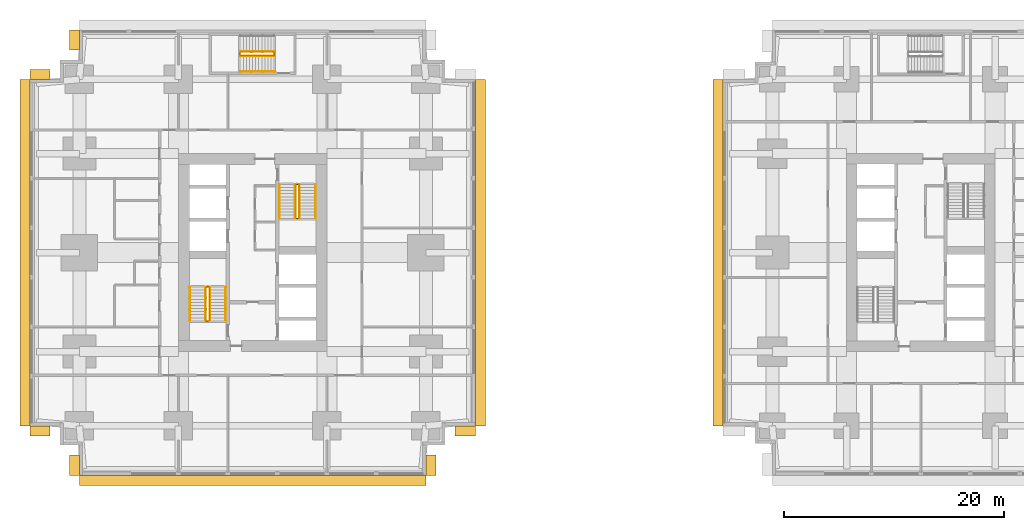
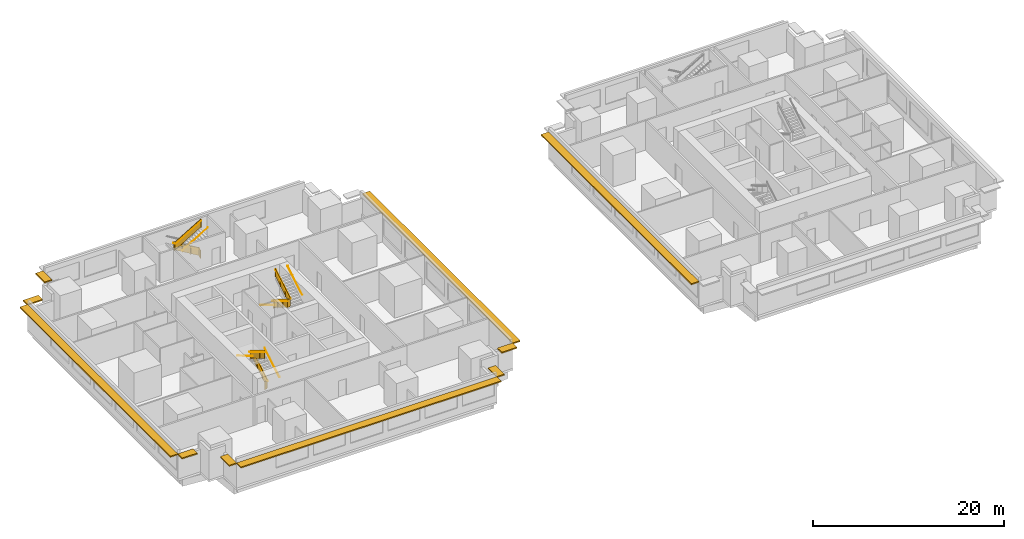
# One storey, part 9 of 11: 14 railings, 10 shading devices.
"""IFC4 building model written with IfcOpenShell, lengths in metres."""

from ifc_helpers import new_model, si_unit, direction, frame, origin, origin_2d, place, context, subcontext, project, spatial, polyline, rectangle, circle, outline, extrude, material, layer, layer_set, type_object, element, save


model = new_model("IFC4")

# Units and contexts
model_context = context("Model", 3, precision=1e-05, world=origin(), true_north=direction((0.0, 1.0)))
body_context = subcontext(model_context, "Body", "Model", "MODEL_VIEW")
ifc_project = project(units=[si_unit("LENGTHUNIT", "METRE"), si_unit("AREAUNIT", "SQUARE_METRE"), si_unit("VOLUMEUNIT", "CUBIC_METRE"), si_unit("PLANEANGLEUNIT", "RADIAN"), si_unit("MASSUNIT", "GRAM", prefix="KILO")], contexts=[model_context])

# Site, building, storey
site_placement = place(None, origin())
site = spatial("IfcSite", under=ifc_project, at=site_placement, CompositionType="ELEMENT")
building_placement = place(site_placement, origin())
building = spatial("IfcBuilding", under=site, at=building_placement, Name="Namib Vertical Campus", CompositionType="ELEMENT")
storey_placement = place(building_placement, frame((0.0, 0.0, 37.0)))
storey = spatial("IfcBuildingStorey", under=building, at=storey_placement, Name="L08", CompositionType="ELEMENT", Elevation=37.0)

# Railings
ifc_material_1 = material(Name="Steel handrail", Category="steel")
railing_type_1 = type_object("IfcRailingType", Name="Handrail 900", PredefinedType="HANDRAIL", material=ifc_material_1)
railing_1_placement = place(storey_placement, frame((17.800048828125, 14.050048828125, 0.166748046875)))
element("IfcRailing", 1, at=railing_1_placement, inside=storey, type_object=railing_type_1, Name="Handrail HR1 A-S1 L08 1", PredefinedType="HANDRAIL", context=body_context, shape_type="SweptSolid", body=[
    extrude(circle(Radius=0.02392578125, at=origin_2d()), frame((0.0, 0.0, 0.8759765625), z_axis=(0.0, 0.859290745958, 0.51148745235), x_axis=(-1.0, 0.0, 0.0)), (0.0, 0.0, 1.0), 3.584228515625),
    extrude(circle(Radius=0.008056640625, at=origin_2d()), frame((0.0, 0.0, 0.8759765625), z_axis=(1.0, 0.0, 0.0), x_axis=(0.0, 0.0, 1.0)), (0.0, 0.0, 1.0), 0.050048828125),
    extrude(circle(Radius=0.008056640625, at=origin_2d()), frame((0.0, 1.026611328125, 1.48681640625), z_axis=(1.0, 0.0, 0.0), x_axis=(0.0, 0.0, 1.0)), (0.0, 0.0, 1.0), 0.050048828125),
    extrude(circle(Radius=0.008056640625, at=origin_2d()), frame((0.0, 2.05322265625, 2.09814453125), z_axis=(1.0, 0.0, 0.0), x_axis=(0.0, 0.0, 1.0)), (0.0, 0.0, 1.0), 0.050048828125),
    extrude(circle(Radius=0.008056640625, at=origin_2d()), frame((0.0, 3.079833984375, 2.708984375), z_axis=(1.0, 0.0, 0.0), x_axis=(0.0, 0.0, 1.0)), (0.0, 0.0, 1.0), 0.050048828125),
])
railing_2_placement = place(storey_placement, frame((14.550048828125, 17.1298828125, 2.166748046875)))
element("IfcRailing", 2, at=railing_2_placement, inside=storey, type_object=railing_type_1, Name="Handrail HR1 A-S1 L08 2", PredefinedType="HANDRAIL", context=body_context, shape_type="SweptSolid", body=[
    extrude(circle(Radius=0.02392578125, at=origin_2d()), frame((0.0, 0.0, 0.8759765625), z_axis=(0.0, -0.859290745958, 0.51148745235), x_axis=(1.0, 0.0, 0.0)), (0.0, 0.0, 1.0), 3.584228515625),
    extrude(circle(Radius=0.008056640625, at=origin_2d()), frame((0.0, 0.0, 0.8759765625), z_axis=(-1.0, 0.0, 0.0), x_axis=(0.0, 0.0, 1.0)), (0.0, 0.0, 1.0), 0.050048828125),
    extrude(circle(Radius=0.008056640625, at=origin_2d()), frame((0.0, -1.026611328125, 1.48681640625), z_axis=(-1.0, 0.0, 0.0), x_axis=(0.0, 0.0, 1.0)), (0.0, 0.0, 1.0), 0.050048828125),
    extrude(circle(Radius=0.008056640625, at=origin_2d()), frame((0.0, -2.05322265625, 2.09814453125), z_axis=(-1.0, 0.0, 0.0), x_axis=(0.0, 0.0, 1.0)), (0.0, 0.0, 1.0), 0.050048828125),
    extrude(circle(Radius=0.008056640625, at=origin_2d()), frame((0.0, -3.079833984375, 2.708984375), z_axis=(-1.0, 0.0, 0.0), x_axis=(0.0, 0.0, 1.0)), (0.0, 0.0, 1.0), 0.050048828125),
])
railing_3_placement = place(storey_placement, frame((16.375, 14.050048828125, 0.166748046875)))
element("IfcRailing", 3, at=railing_3_placement, inside=storey, type_object=railing_type_1, Name="Handrail HR1 A-S1 L08 1 at the well", PredefinedType="HANDRAIL", context=body_context, shape_type="SweptSolid", body=[
    extrude(circle(Radius=0.02392578125, at=origin_2d()), frame((0.0, 0.0, 0.8759765625), z_axis=(0.0, 0.859290745958, 0.51148745235), x_axis=(-1.0, 0.0, 0.0)), (0.0, 0.0, 1.0), 3.584228515625),
    extrude(circle(Radius=0.008056640625, at=origin_2d()), frame((0.0, 0.0, 0.8759765625), z_axis=(-1.0, 0.0, 0.0), x_axis=(0.0, 0.0, 1.0)), (0.0, 0.0, 1.0), 0.0400390625),
    extrude(circle(Radius=0.008056640625, at=origin_2d()), frame((0.0, 1.026611328125, 1.48681640625), z_axis=(-1.0, 0.0, 0.0), x_axis=(0.0, 0.0, 1.0)), (0.0, 0.0, 1.0), 0.0400390625),
    extrude(circle(Radius=0.008056640625, at=origin_2d()), frame((0.0, 2.05322265625, 2.09814453125), z_axis=(-1.0, 0.0, 0.0), x_axis=(0.0, 0.0, 1.0)), (0.0, 0.0, 1.0), 0.0400390625),
    extrude(circle(Radius=0.008056640625, at=origin_2d()), frame((0.0, 3.079833984375, 2.708984375), z_axis=(-1.0, 0.0, 0.0), x_axis=(0.0, 0.0, 1.0)), (0.0, 0.0, 1.0), 0.0400390625),
])
railing_4_placement = place(storey_placement, frame((15.97509765625, 17.1298828125, 2.166748046875)))
element("IfcRailing", 4, at=railing_4_placement, inside=storey, type_object=railing_type_1, Name="Handrail HR1 A-S1 L08 2 at the well", PredefinedType="HANDRAIL", context=body_context, shape_type="SweptSolid", body=[
    extrude(circle(Radius=0.02392578125, at=origin_2d()), frame((0.0, 0.0, 0.8759765625), z_axis=(0.0, -0.859290745958, 0.51148745235), x_axis=(1.0, 0.0, 0.0)), (0.0, 0.0, 1.0), 3.584228515625),
    extrude(circle(Radius=0.008056640625, at=origin_2d()), frame((0.0, 0.0, 0.8759765625), z_axis=(1.0, 0.0, 0.0), x_axis=(0.0, 0.0, 1.0)), (0.0, 0.0, 1.0), 0.0400390625),
    extrude(circle(Radius=0.008056640625, at=origin_2d()), frame((0.0, -1.026611328125, 1.48681640625), z_axis=(1.0, 0.0, 0.0), x_axis=(0.0, 0.0, 1.0)), (0.0, 0.0, 1.0), 0.0400390625),
    extrude(circle(Radius=0.008056640625, at=origin_2d()), frame((0.0, -2.05322265625, 2.09814453125), z_axis=(1.0, 0.0, 0.0), x_axis=(0.0, 0.0, 1.0)), (0.0, 0.0, 1.0), 0.0400390625),
    extrude(circle(Radius=0.008056640625, at=origin_2d()), frame((0.0, -3.079833984375, 2.708984375), z_axis=(1.0, 0.0, 0.0), x_axis=(0.0, 0.0, 1.0)), (0.0, 0.0, 1.0), 0.0400390625),
])
railing_5_placement = place(storey_placement, frame((22.699951171875, 26.449951171875, 0.166748046875)))
element("IfcRailing", 5, at=railing_5_placement, inside=storey, type_object=railing_type_1, Name="Handrail HR1 A-S2 L08 1", PredefinedType="HANDRAIL", context=body_context, shape_type="SweptSolid", body=[
    extrude(circle(Radius=0.02392578125, at=origin_2d()), frame((0.0, 0.0, 0.8759765625), z_axis=(0.0, -0.859290745958, 0.51148745235), x_axis=(1.0, 0.0, 0.0)), (0.0, 0.0, 1.0), 3.584228515625),
    extrude(circle(Radius=0.008056640625, at=origin_2d()), frame((0.0, 0.0, 0.8759765625), z_axis=(-1.0, 0.0, 0.0), x_axis=(0.0, 0.0, 1.0)), (0.0, 0.0, 1.0), 0.050048828125),
    extrude(circle(Radius=0.008056640625, at=origin_2d()), frame((0.0, -1.026611328125, 1.48681640625), z_axis=(-1.0, 0.0, 0.0), x_axis=(0.0, 0.0, 1.0)), (0.0, 0.0, 1.0), 0.050048828125),
    extrude(circle(Radius=0.008056640625, at=origin_2d()), frame((0.0, -2.05322265625, 2.09814453125), z_axis=(-1.0, 0.0, 0.0), x_axis=(0.0, 0.0, 1.0)), (0.0, 0.0, 1.0), 0.050048828125),
    extrude(circle(Radius=0.008056640625, at=origin_2d()), frame((0.0, -3.079833984375, 2.708984375), z_axis=(-1.0, 0.0, 0.0), x_axis=(0.0, 0.0, 1.0)), (0.0, 0.0, 1.0), 0.050048828125),
])
railing_6_placement = place(storey_placement, frame((25.949951171875, 23.3701171875, 2.166748046875)))
element("IfcRailing", 6, at=railing_6_placement, inside=storey, type_object=railing_type_1, Name="Handrail HR1 A-S2 L08 2", PredefinedType="HANDRAIL", context=body_context, shape_type="SweptSolid", body=[
    extrude(circle(Radius=0.02392578125, at=origin_2d()), frame((0.0, 0.0, 0.8759765625), z_axis=(0.0, 0.859290745958, 0.51148745235), x_axis=(-1.0, 0.0, 0.0)), (0.0, 0.0, 1.0), 3.584228515625),
    extrude(circle(Radius=0.008056640625, at=origin_2d()), frame((0.0, 0.0, 0.8759765625), z_axis=(1.0, 0.0, 0.0), x_axis=(0.0, 0.0, 1.0)), (0.0, 0.0, 1.0), 0.050048828125),
    extrude(circle(Radius=0.008056640625, at=origin_2d()), frame((0.0, 1.026611328125, 1.48681640625), z_axis=(1.0, 0.0, 0.0), x_axis=(0.0, 0.0, 1.0)), (0.0, 0.0, 1.0), 0.050048828125),
    extrude(circle(Radius=0.008056640625, at=origin_2d()), frame((0.0, 2.05322265625, 2.09814453125), z_axis=(1.0, 0.0, 0.0), x_axis=(0.0, 0.0, 1.0)), (0.0, 0.0, 1.0), 0.050048828125),
    extrude(circle(Radius=0.008056640625, at=origin_2d()), frame((0.0, 3.079833984375, 2.708984375), z_axis=(1.0, 0.0, 0.0), x_axis=(0.0, 0.0, 1.0)), (0.0, 0.0, 1.0), 0.050048828125),
])
railing_7_placement = place(storey_placement, frame((24.125, 26.449951171875, 0.166748046875)))
element("IfcRailing", 7, at=railing_7_placement, inside=storey, type_object=railing_type_1, Name="Handrail HR1 A-S2 L08 1 at the well", PredefinedType="HANDRAIL", context=body_context, shape_type="SweptSolid", body=[
    extrude(circle(Radius=0.02392578125, at=origin_2d()), frame((0.0, 0.0, 0.8759765625), z_axis=(0.0, -0.859290745958, 0.51148745235), x_axis=(1.0, 0.0, 0.0)), (0.0, 0.0, 1.0), 3.584228515625),
    extrude(circle(Radius=0.008056640625, at=origin_2d()), frame((0.0, 0.0, 0.8759765625), z_axis=(1.0, 0.0, 0.0), x_axis=(0.0, 0.0, 1.0)), (0.0, 0.0, 1.0), 0.0400390625),
    extrude(circle(Radius=0.008056640625, at=origin_2d()), frame((0.0, -1.026611328125, 1.48681640625), z_axis=(1.0, 0.0, 0.0), x_axis=(0.0, 0.0, 1.0)), (0.0, 0.0, 1.0), 0.0400390625),
    extrude(circle(Radius=0.008056640625, at=origin_2d()), frame((0.0, -2.05322265625, 2.09814453125), z_axis=(1.0, 0.0, 0.0), x_axis=(0.0, 0.0, 1.0)), (0.0, 0.0, 1.0), 0.0400390625),
    extrude(circle(Radius=0.008056640625, at=origin_2d()), frame((0.0, -3.079833984375, 2.708984375), z_axis=(1.0, 0.0, 0.0), x_axis=(0.0, 0.0, 1.0)), (0.0, 0.0, 1.0), 0.0400390625),
])
railing_8_placement = place(storey_placement, frame((24.52490234375, 23.3701171875, 2.166748046875)))
element("IfcRailing", 8, at=railing_8_placement, inside=storey, type_object=railing_type_1, Name="Handrail HR1 A-S2 L08 2 at the well", PredefinedType="HANDRAIL", context=body_context, shape_type="SweptSolid", body=[
    extrude(circle(Radius=0.02392578125, at=origin_2d()), frame((0.0, 0.0, 0.8759765625), z_axis=(0.0, 0.859290745958, 0.51148745235), x_axis=(-1.0, 0.0, 0.0)), (0.0, 0.0, 1.0), 3.584228515625),
    extrude(circle(Radius=0.008056640625, at=origin_2d()), frame((0.0, 0.0, 0.8759765625), z_axis=(-1.0, 0.0, 0.0), x_axis=(0.0, 0.0, 1.0)), (0.0, 0.0, 1.0), 0.0400390625),
    extrude(circle(Radius=0.008056640625, at=origin_2d()), frame((0.0, 1.026611328125, 1.48681640625), z_axis=(-1.0, 0.0, 0.0), x_axis=(0.0, 0.0, 1.0)), (0.0, 0.0, 1.0), 0.0400390625),
    extrude(circle(Radius=0.008056640625, at=origin_2d()), frame((0.0, 2.05322265625, 2.09814453125), z_axis=(-1.0, 0.0, 0.0), x_axis=(0.0, 0.0, 1.0)), (0.0, 0.0, 1.0), 0.0400390625),
    extrude(circle(Radius=0.008056640625, at=origin_2d()), frame((0.0, 3.079833984375, 2.708984375), z_axis=(-1.0, 0.0, 0.0), x_axis=(0.0, 0.0, 1.0)), (0.0, 0.0, 1.0), 0.0400390625),
])
railing_9_placement = place(storey_placement, frame((19.1201171875, 36.699951171875, 2.166748046875)))
element("IfcRailing", 9, at=railing_9_placement, inside=storey, type_object=railing_type_1, Name="Handrail HR1 A-S3 L08 2", PredefinedType="HANDRAIL", context=body_context, shape_type="SweptSolid", body=[
    extrude(circle(Radius=0.02392578125, at=origin_2d()), frame((0.0, 0.0, 0.8759765625), z_axis=(0.859290745958, 0.0, 0.51148745235), x_axis=(0.0, 1.0, 0.0)), (0.0, 0.0, 1.0), 3.584228515625),
    extrude(circle(Radius=0.008056640625, at=origin_2d()), frame((0.0, 0.0, 0.8759765625), z_axis=(0.0, -1.0, 0.0), x_axis=(0.0, 0.0, 1.0)), (0.0, 0.0, 1.0), 0.050048828125),
    extrude(circle(Radius=0.008056640625, at=origin_2d()), frame((1.026611328125, 0.0, 1.48681640625), z_axis=(0.0, -1.0, 0.0), x_axis=(0.0, 0.0, 1.0)), (0.0, 0.0, 1.0), 0.050048828125),
    extrude(circle(Radius=0.008056640625, at=origin_2d()), frame((2.05322265625, 0.0, 2.09814453125), z_axis=(0.0, -1.0, 0.0), x_axis=(0.0, 0.0, 1.0)), (0.0, 0.0, 1.0), 0.050048828125),
    extrude(circle(Radius=0.008056640625, at=origin_2d()), frame((3.079833984375, 0.0, 2.708984375), z_axis=(0.0, -1.0, 0.0), x_axis=(0.0, 0.0, 1.0)), (0.0, 0.0, 1.0), 0.050048828125),
])
railing_10_placement = place(storey_placement, frame((22.199951171875, 38.52490234375, 0.166748046875)))
element("IfcRailing", 10, at=railing_10_placement, inside=storey, type_object=railing_type_1, Name="Handrail HR1 A-S3 L08 1 at the well", PredefinedType="HANDRAIL", context=body_context, shape_type="SweptSolid", body=[
    extrude(circle(Radius=0.02392578125, at=origin_2d()), frame((0.0, 0.0, 0.8759765625), z_axis=(-0.859290745958, 0.0, 0.51148745235), x_axis=(0.0, -1.0, 0.0)), (0.0, 0.0, 1.0), 3.584228515625),
    extrude(circle(Radius=0.008056640625, at=origin_2d()), frame((0.0, 0.0, 0.8759765625), z_axis=(0.0, -1.0, 0.0), x_axis=(0.0, 0.0, 1.0)), (0.0, 0.0, 1.0), 0.0400390625),
    extrude(circle(Radius=0.008056640625, at=origin_2d()), frame((-1.026611328125, 0.0, 1.48681640625), z_axis=(0.0, -1.0, 0.0), x_axis=(0.0, 0.0, 1.0)), (0.0, 0.0, 1.0), 0.0400390625),
    extrude(circle(Radius=0.008056640625, at=origin_2d()), frame((-2.05322265625, 0.0, 2.09814453125), z_axis=(0.0, -1.0, 0.0), x_axis=(0.0, 0.0, 1.0)), (0.0, 0.0, 1.0), 0.0400390625),
    extrude(circle(Radius=0.008056640625, at=origin_2d()), frame((-3.079833984375, 0.0, 2.708984375), z_axis=(0.0, -1.0, 0.0), x_axis=(0.0, 0.0, 1.0)), (0.0, 0.0, 1.0), 0.0400390625),
])
railing_11_placement = place(storey_placement, frame((19.1201171875, 38.125, 2.166748046875)))
element("IfcRailing", 11, at=railing_11_placement, inside=storey, type_object=railing_type_1, Name="Handrail HR1 A-S3 L08 2 at the well", PredefinedType="HANDRAIL", context=body_context, shape_type="SweptSolid", body=[
    extrude(circle(Radius=0.02392578125, at=origin_2d()), frame((0.0, 0.0, 0.8759765625), z_axis=(0.859290745958, 0.0, 0.51148745235), x_axis=(0.0, 1.0, 0.0)), (0.0, 0.0, 1.0), 3.584228515625),
    extrude(circle(Radius=0.008056640625, at=origin_2d()), frame((0.0, 0.0, 0.8759765625), z_axis=(0.0, 1.0, 0.0), x_axis=(0.0, 0.0, 1.0)), (0.0, 0.0, 1.0), 0.0400390625),
    extrude(circle(Radius=0.008056640625, at=origin_2d()), frame((1.026611328125, 0.0, 1.48681640625), z_axis=(0.0, 1.0, 0.0), x_axis=(0.0, 0.0, 1.0)), (0.0, 0.0, 1.0), 0.0400390625),
    extrude(circle(Radius=0.008056640625, at=origin_2d()), frame((2.05322265625, 0.0, 2.09814453125), z_axis=(0.0, 1.0, 0.0), x_axis=(0.0, 0.0, 1.0)), (0.0, 0.0, 1.0), 0.0400390625),
    extrude(circle(Radius=0.008056640625, at=origin_2d()), frame((3.079833984375, 0.0, 2.708984375), z_axis=(0.0, 1.0, 0.0), x_axis=(0.0, 0.0, 1.0)), (0.0, 0.0, 1.0), 0.0400390625),
])
ifc_material_2 = material(Name="Steel balustrade", Category="steel")
railing_type_2 = type_object("IfcRailingType", Name="Stair guard 1100", PredefinedType="GUARDRAIL", material=ifc_material_2)
railing_12_placement = place(storey_placement, frame((16.02490234375, 14.050048828125, 0.0)))
element("IfcRailing", 12, at=railing_12_placement, inside=storey, type_object=railing_type_2, Name="Stair guard GR1 A-S1 L08", PredefinedType="GUARDRAIL", context=body_context, shape_type="SweptSolid", body=[
    extrude(circle(Radius=0.02392578125, at=origin_2d()), frame((0.0, 0.0, 1.076171875), z_axis=(1.0, 0.0, 0.0), x_axis=(0.0, 1.0, 0.0)), (0.0, 0.0, 1.0), 0.300048828125),
    extrude(outline(polyline([(0.02099609375, 0.050048828125), (0.279052734375, 0.050048828125), (0.279052734375, 1.052001953125), (0.02099609375, 1.052001953125), (0.02099609375, 0.050048828125)])), frame((0.0, 0.010009765625, 0.0), z_axis=(0.0, -1.0, 0.0), x_axis=(1.0, 0.0, 0.0)), (0.0, 0.0, 1.0), 0.02001953125),
    extrude(circle(Radius=0.02392578125, at=origin_2d()), frame((0.300048828125, 0.0, 1.076171875), z_axis=(0.0, 0.0, 1.0), x_axis=(1.0, 0.0, 0.0)), (0.0, 0.0, 1.0), 0.166748046875),
    extrude(circle(Radius=0.02392578125, at=origin_2d()), frame((0.300048828125, 0.0, 1.24267578125), z_axis=(0.0, 0.859290745958, 0.51148745235), x_axis=(-1.0, 0.0, 0.0)), (0.0, 0.0, 1.0), 3.584228515625),
    extrude(outline(polyline([(0.02099609375, 0.0625), (3.058837890625, 1.870849609375), (3.058837890625, 2.872802734375), (0.02099609375, 1.064453125), (0.02099609375, 0.0625)])), frame((0.2900390625, 0.0, 0.166748046875), z_axis=(1.0, 0.0, 0.0), x_axis=(0.0, 1.0, 0.0)), (0.0, 0.0, 1.0), 0.02001953125),
    extrude(circle(Radius=0.02392578125, at=origin_2d()), frame((0.300048828125, 3.079833984375, 3.076171875), z_axis=(-1.0, 0.0, 0.0), x_axis=(0.0, -1.0, 0.0)), (0.0, 0.0, 1.0), 0.300048828125),
    extrude(outline(polyline([(0.02099609375, 0.050048828125), (0.279052734375, 0.050048828125), (0.279052734375, 1.052001953125), (0.02099609375, 1.052001953125), (0.02099609375, 0.050048828125)])), frame((0.300048828125, 3.06982421875, 2.0), z_axis=(0.0, 1.0, 0.0), x_axis=(-1.0, 0.0, 0.0)), (0.0, 0.0, 1.0), 0.02001953125),
    extrude(circle(Radius=0.02392578125, at=origin_2d()), frame((0.0, 3.079833984375, 3.076171875), z_axis=(0.0, 0.0, 1.0), x_axis=(1.0, 0.0, 0.0)), (0.0, 0.0, 1.0), 0.166748046875),
    extrude(circle(Radius=0.02392578125, at=origin_2d()), frame((0.0, 3.079833984375, 3.24267578125), z_axis=(0.0, -0.859290745958, 0.51148745235), x_axis=(1.0, 0.0, 0.0)), (0.0, 0.0, 1.0), 3.584228515625),
    extrude(outline(polyline([(0.02099609375, 0.0625), (3.058837890625, 1.870849609375), (3.058837890625, 2.872802734375), (0.02099609375, 1.064453125), (0.02099609375, 0.0625)])), frame((0.010009765625, 3.079833984375, 2.166748046875), z_axis=(-1.0, 0.0, 0.0), x_axis=(0.0, -1.0, 0.0)), (0.0, 0.0, 1.0), 0.02001953125),
    extrude(circle(Radius=0.02392578125, at=origin_2d()), frame((0.0, 0.0, 5.076171875), z_axis=(0.0, -1.0, 0.0), x_axis=(1.0, 0.0, 0.0)), (0.0, 0.0, 1.0), 0.050048828125),
    extrude(outline(polyline([(0.02099609375, 0.050048828125), (0.029052734375, 0.050048828125), (0.029052734375, 1.052001953125), (0.02099609375, 1.052001953125), (0.02099609375, 0.050048828125)])), frame((0.010009765625, 0.0, 4.0), z_axis=(-1.0, 0.0, 0.0), x_axis=(0.0, -1.0, 0.0)), (0.0, 0.0, 1.0), 0.02001953125),
    extrude(circle(Radius=0.02099609375, at=origin_2d()), origin(), (0.0, 0.0, 1.0), 1.052001953125),
    extrude(circle(Radius=0.02099609375, at=origin_2d()), frame((0.300048828125, 0.0, 0.166748046875)), (0.0, 0.0, 1.0), 1.052001953125),
    extrude(circle(Radius=0.02099609375, at=origin_2d()), frame((0.300048828125, 1.026611328125, 0.666748046875)), (0.0, 0.0, 1.0), 1.1630859375),
    extrude(circle(Radius=0.02099609375, at=origin_2d()), frame((0.300048828125, 2.05322265625, 1.33349609375)), (0.0, 0.0, 1.0), 1.107421875),
    extrude(circle(Radius=0.02099609375, at=origin_2d()), frame((0.300048828125, 3.079833984375, 2.0)), (0.0, 0.0, 1.0), 1.052001953125),
    extrude(circle(Radius=0.02099609375, at=origin_2d()), frame((0.0, 3.079833984375, 2.166748046875)), (0.0, 0.0, 1.0), 1.052001953125),
    extrude(circle(Radius=0.02099609375, at=origin_2d()), frame((0.0, 2.05322265625, 2.666748046875)), (0.0, 0.0, 1.0), 1.1630859375),
    extrude(circle(Radius=0.02099609375, at=origin_2d()), frame((0.0, 1.026611328125, 3.33349609375)), (0.0, 0.0, 1.0), 1.107421875),
    extrude(circle(Radius=0.02099609375, at=origin_2d()), frame((0.0, 0.0, 4.0)), (0.0, 0.0, 1.0), 1.052001953125),
    extrude(circle(Radius=0.02099609375, at=origin_2d()), frame((0.0, -0.050048828125, 4.0)), (0.0, 0.0, 1.0), 1.052001953125),
])
railing_13_placement = place(storey_placement, frame((24.47509765625, 26.449951171875, 0.0)))
element("IfcRailing", 13, at=railing_13_placement, inside=storey, type_object=railing_type_2, Name="Stair guard GR1 A-S2 L08", PredefinedType="GUARDRAIL", context=body_context, shape_type="SweptSolid", body=[
    extrude(circle(Radius=0.02392578125, at=origin_2d()), frame((0.0, 0.0, 1.076171875), z_axis=(-1.0, 0.0, 0.0), x_axis=(0.0, -1.0, 0.0)), (0.0, 0.0, 1.0), 0.300048828125),
    extrude(outline(polyline([(0.02099609375, 0.050048828125), (0.279052734375, 0.050048828125), (0.279052734375, 1.052001953125), (0.02099609375, 1.052001953125), (0.02099609375, 0.050048828125)])), frame((0.0, -0.010009765625, 0.0), z_axis=(0.0, 1.0, 0.0), x_axis=(-1.0, 0.0, 0.0)), (0.0, 0.0, 1.0), 0.02001953125),
    extrude(circle(Radius=0.02392578125, at=origin_2d()), frame((-0.300048828125, 0.0, 1.076171875), z_axis=(0.0, 0.0, 1.0), x_axis=(1.0, 0.0, 0.0)), (0.0, 0.0, 1.0), 0.166748046875),
    extrude(circle(Radius=0.02392578125, at=origin_2d()), frame((-0.300048828125, 0.0, 1.24267578125), z_axis=(0.0, -0.859290745958, 0.51148745235), x_axis=(1.0, 0.0, 0.0)), (0.0, 0.0, 1.0), 3.584228515625),
    extrude(outline(polyline([(0.02099609375, 0.0625), (3.058837890625, 1.870849609375), (3.058837890625, 2.872802734375), (0.02099609375, 1.064453125), (0.02099609375, 0.0625)])), frame((-0.2900390625, 0.0, 0.166748046875), z_axis=(-1.0, 0.0, 0.0), x_axis=(0.0, -1.0, 0.0)), (0.0, 0.0, 1.0), 0.02001953125),
    extrude(circle(Radius=0.02392578125, at=origin_2d()), frame((-0.300048828125, -3.079833984375, 3.076171875), z_axis=(1.0, 0.0, 0.0), x_axis=(0.0, 1.0, 0.0)), (0.0, 0.0, 1.0), 0.300048828125),
    extrude(outline(polyline([(0.02099609375, 0.050048828125), (0.279052734375, 0.050048828125), (0.279052734375, 1.052001953125), (0.02099609375, 1.052001953125), (0.02099609375, 0.050048828125)])), frame((-0.300048828125, -3.06982421875, 2.0), z_axis=(0.0, -1.0, 0.0), x_axis=(1.0, 0.0, 0.0)), (0.0, 0.0, 1.0), 0.02001953125),
    extrude(circle(Radius=0.02392578125, at=origin_2d()), frame((0.0, -3.079833984375, 3.076171875), z_axis=(0.0, 0.0, 1.0), x_axis=(1.0, 0.0, 0.0)), (0.0, 0.0, 1.0), 0.166748046875),
    extrude(circle(Radius=0.02392578125, at=origin_2d()), frame((0.0, -3.079833984375, 3.24267578125), z_axis=(0.0, 0.859290745958, 0.51148745235), x_axis=(-1.0, 0.0, 0.0)), (0.0, 0.0, 1.0), 3.584228515625),
    extrude(outline(polyline([(0.02099609375, 0.0625), (3.058837890625, 1.870849609375), (3.058837890625, 2.872802734375), (0.02099609375, 1.064453125), (0.02099609375, 0.0625)])), frame((-0.010009765625, -3.079833984375, 2.166748046875), z_axis=(1.0, 0.0, 0.0), x_axis=(0.0, 1.0, 0.0)), (0.0, 0.0, 1.0), 0.02001953125),
    extrude(circle(Radius=0.02392578125, at=origin_2d()), frame((0.0, 0.0, 5.076171875), z_axis=(0.0, 1.0, 0.0), x_axis=(-1.0, 0.0, 0.0)), (0.0, 0.0, 1.0), 0.050048828125),
    extrude(outline(polyline([(0.02099609375, 0.050048828125), (0.029052734375, 0.050048828125), (0.029052734375, 1.052001953125), (0.02099609375, 1.052001953125), (0.02099609375, 0.050048828125)])), frame((-0.010009765625, 0.0, 4.0), z_axis=(1.0, 0.0, 0.0), x_axis=(0.0, 1.0, 0.0)), (0.0, 0.0, 1.0), 0.02001953125),
    extrude(circle(Radius=0.02099609375, at=origin_2d()), origin(), (0.0, 0.0, 1.0), 1.052001953125),
    extrude(circle(Radius=0.02099609375, at=origin_2d()), frame((-0.300048828125, 0.0, 0.166748046875)), (0.0, 0.0, 1.0), 1.052001953125),
    extrude(circle(Radius=0.02099609375, at=origin_2d()), frame((-0.300048828125, -1.026611328125, 0.666748046875)), (0.0, 0.0, 1.0), 1.1630859375),
    extrude(circle(Radius=0.02099609375, at=origin_2d()), frame((-0.300048828125, -2.05322265625, 1.33349609375)), (0.0, 0.0, 1.0), 1.107421875),
    extrude(circle(Radius=0.02099609375, at=origin_2d()), frame((-0.300048828125, -3.079833984375, 2.0)), (0.0, 0.0, 1.0), 1.052001953125),
    extrude(circle(Radius=0.02099609375, at=origin_2d()), frame((0.0, -3.079833984375, 2.166748046875)), (0.0, 0.0, 1.0), 1.052001953125),
    extrude(circle(Radius=0.02099609375, at=origin_2d()), frame((0.0, -2.05322265625, 2.666748046875)), (0.0, 0.0, 1.0), 1.1630859375),
    extrude(circle(Radius=0.02099609375, at=origin_2d()), frame((0.0, -1.026611328125, 3.33349609375)), (0.0, 0.0, 1.0), 1.107421875),
    extrude(circle(Radius=0.02099609375, at=origin_2d()), frame((0.0, 0.0, 4.0)), (0.0, 0.0, 1.0), 1.052001953125),
    extrude(circle(Radius=0.02099609375, at=origin_2d()), frame((0.0, 0.050048828125, 4.0)), (0.0, 0.0, 1.0), 1.052001953125),
])
railing_14_placement = place(storey_placement, frame((22.199951171875, 38.175048828125, 0.0)))
element("IfcRailing", 14, at=railing_14_placement, inside=storey, type_object=railing_type_2, Name="Stair guard GR1 A-S3 L08", PredefinedType="GUARDRAIL", context=body_context, shape_type="SweptSolid", body=[
    extrude(circle(Radius=0.02392578125, at=origin_2d()), frame((0.0, 0.0, 1.076171875), z_axis=(0.0, 1.0, 0.0), x_axis=(-1.0, 0.0, 0.0)), (0.0, 0.0, 1.0), 0.300048828125),
    extrude(outline(polyline([(0.02099609375, 0.050048828125), (0.279052734375, 0.050048828125), (0.279052734375, 1.052001953125), (0.02099609375, 1.052001953125), (0.02099609375, 0.050048828125)])), frame((-0.010009765625, 0.0, 0.0), z_axis=(1.0, 0.0, 0.0), x_axis=(0.0, 1.0, 0.0)), (0.0, 0.0, 1.0), 0.02001953125),
    extrude(circle(Radius=0.02392578125, at=origin_2d()), frame((0.0, 0.300048828125, 1.076171875), z_axis=(0.0, 0.0, 1.0), x_axis=(1.0, 0.0, 0.0)), (0.0, 0.0, 1.0), 0.166748046875),
    extrude(circle(Radius=0.02392578125, at=origin_2d()), frame((0.0, 0.300048828125, 1.24267578125), z_axis=(-0.859290745958, 0.0, 0.51148745235), x_axis=(0.0, -1.0, 0.0)), (0.0, 0.0, 1.0), 3.584228515625),
    extrude(outline(polyline([(0.02099609375, 0.0625), (3.058837890625, 1.870849609375), (3.058837890625, 2.872802734375), (0.02099609375, 1.064453125), (0.02099609375, 0.0625)])), frame((0.0, 0.2900390625, 0.166748046875), z_axis=(0.0, 1.0, 0.0), x_axis=(-1.0, 0.0, 0.0)), (0.0, 0.0, 1.0), 0.02001953125),
    extrude(circle(Radius=0.02392578125, at=origin_2d()), frame((-3.079833984375, 0.300048828125, 3.076171875), z_axis=(0.0, -1.0, 0.0), x_axis=(1.0, 0.0, 0.0)), (0.0, 0.0, 1.0), 0.300048828125),
    extrude(outline(polyline([(0.02099609375, 0.050048828125), (0.279052734375, 0.050048828125), (0.279052734375, 1.052001953125), (0.02099609375, 1.052001953125), (0.02099609375, 0.050048828125)])), frame((-3.06982421875, 0.300048828125, 2.0), z_axis=(-1.0, 0.0, 0.0), x_axis=(0.0, -1.0, 0.0)), (0.0, 0.0, 1.0), 0.02001953125),
    extrude(circle(Radius=0.02392578125, at=origin_2d()), frame((-3.079833984375, 0.0, 3.076171875), z_axis=(0.0, 0.0, 1.0), x_axis=(1.0, 0.0, 0.0)), (0.0, 0.0, 1.0), 0.166748046875),
    extrude(circle(Radius=0.02392578125, at=origin_2d()), frame((-3.079833984375, 0.0, 3.24267578125), z_axis=(0.859290745958, 0.0, 0.51148745235), x_axis=(0.0, 1.0, 0.0)), (0.0, 0.0, 1.0), 3.584228515625),
    extrude(outline(polyline([(0.02099609375, 0.0625), (3.058837890625, 1.870849609375), (3.058837890625, 2.872802734375), (0.02099609375, 1.064453125), (0.02099609375, 0.0625)])), frame((-3.079833984375, 0.010009765625, 2.166748046875), z_axis=(0.0, -1.0, 0.0), x_axis=(1.0, 0.0, 0.0)), (0.0, 0.0, 1.0), 0.02001953125),
    extrude(circle(Radius=0.02392578125, at=origin_2d()), frame((0.0, 0.0, 5.076171875), z_axis=(1.0, 0.0, 0.0), x_axis=(0.0, 1.0, 0.0)), (0.0, 0.0, 1.0), 0.050048828125),
    extrude(outline(polyline([(0.02099609375, 0.050048828125), (0.029052734375, 0.050048828125), (0.029052734375, 1.052001953125), (0.02099609375, 1.052001953125), (0.02099609375, 0.050048828125)])), frame((0.0, 0.010009765625, 4.0), z_axis=(0.0, -1.0, 0.0), x_axis=(1.0, 0.0, 0.0)), (0.0, 0.0, 1.0), 0.02001953125),
    extrude(circle(Radius=0.02099609375, at=origin_2d()), origin(), (0.0, 0.0, 1.0), 1.052001953125),
    extrude(circle(Radius=0.02099609375, at=origin_2d()), frame((0.0, 0.300048828125, 0.166748046875)), (0.0, 0.0, 1.0), 1.052001953125),
    extrude(circle(Radius=0.02099609375, at=origin_2d()), frame((-1.026611328125, 0.300048828125, 0.666748046875)), (0.0, 0.0, 1.0), 1.1630859375),
    extrude(circle(Radius=0.02099609375, at=origin_2d()), frame((-2.05322265625, 0.300048828125, 1.33349609375)), (0.0, 0.0, 1.0), 1.107421875),
    extrude(circle(Radius=0.02099609375, at=origin_2d()), frame((-3.079833984375, 0.300048828125, 2.0)), (0.0, 0.0, 1.0), 1.052001953125),
    extrude(circle(Radius=0.02099609375, at=origin_2d()), frame((-3.079833984375, 0.0, 2.166748046875)), (0.0, 0.0, 1.0), 1.052001953125),
    extrude(circle(Radius=0.02099609375, at=origin_2d()), frame((-2.05322265625, 0.0, 2.666748046875)), (0.0, 0.0, 1.0), 1.1630859375),
    extrude(circle(Radius=0.02099609375, at=origin_2d()), frame((-1.026611328125, 0.0, 3.33349609375)), (0.0, 0.0, 1.0), 1.107421875),
    extrude(circle(Radius=0.02099609375, at=origin_2d()), frame((0.0, 0.0, 4.0)), (0.0, 0.0, 1.0), 1.052001953125),
    extrude(circle(Radius=0.02099609375, at=origin_2d()), frame((0.050048828125, 0.0, 4.0)), (0.0, 0.0, 1.0), 1.052001953125),
])

# Shading devices
ifc_material_3 = material(Name="Concrete C40/50 precast", Category="concrete")
ifc_layer = layer(ifc_material_3, 0.14990234375)
ifc_layer_set = layer_set([ifc_layer], Name="Concrete C40/50 precast")
shading_device_type = type_object("IfcShadingDeviceType", Name="Sunshade hood 900", PredefinedType="SHUTTER", material=ifc_layer_set)
shading_device_1_placement = place(storey_placement, frame((20.25, -0.449951171875, 3.10009765625), z_axis=(0.0, 0.0, 1.0), x_axis=(1.0, 0.0, 0.0)))
element("IfcShadingDevice", 15, at=shading_device_1_placement, inside=storey, type_object=shading_device_type, Name="Sunshade SH1 L08 1", PredefinedType="SHUTTER", context=body_context, shape_type="SweptSolid", body=[
    extrude(rectangle(XDim=31.5, YDim=0.89990234375, at=origin_2d()), origin(), (0.0, 0.0, 1.0), 0.14990234375),
])
for number, where, z_axis, x_axis, name in (
    (16, (36.449951171875, 0.925048828125, 3.10009765625), (0.0, 0.0, 1.0), (0.0, 1.0, 0.0), "Sunshade SH1 L08 2"),
    (17, (39.574951171875, 4.050048828125, 3.10009765625), (0.0, 0.0, 1.0), (1.0, 0.0, 0.0), "Sunshade SH1 L08 5"),
):
    element("IfcShadingDevice", number, at=place(storey_placement, frame(where, z_axis=z_axis, x_axis=x_axis)), inside=storey, type_object=shading_device_type, Name=name, PredefinedType="SHUTTER", context=body_context, shape_type="SweptSolid", body=[
        extrude(rectangle(XDim=1.85009765625, YDim=0.89990234375, at=origin_2d()), origin(), (0.0, 0.0, 1.0), 0.14990234375),
    ])
shading_device_2_placement = place(storey_placement, frame((40.949951171875, 20.25, 3.10009765625), z_axis=(0.0, 0.0, 1.0), x_axis=(0.0, 1.0, 0.0)))
element("IfcShadingDevice", 18, at=shading_device_2_placement, inside=storey, type_object=shading_device_type, Name="Sunshade SH1 L08 6", PredefinedType="SHUTTER", context=body_context, shape_type="SweptSolid", body=[
    extrude(rectangle(XDim=31.5, YDim=0.89990234375, at=origin_2d()), origin(), (0.0, 0.0, 1.0), 0.14990234375),
])
for number, where, z_axis, x_axis, name in (
    (19, (4.050048828125, 39.574951171875, 3.10009765625), (0.0, 0.0, 1.0), (0.0, -1.0, 0.0), "Sunshade SH1 L08 12"),
    (20, (0.925048828125, 36.449951171875, 3.10009765625), (0.0, 0.0, 1.0), (-1.0, 0.0, 0.0), "Sunshade SH1 L08 15"),
):
    element("IfcShadingDevice", number, at=place(storey_placement, frame(where, z_axis=z_axis, x_axis=x_axis)), inside=storey, type_object=shading_device_type, Name=name, PredefinedType="SHUTTER", context=body_context, shape_type="SweptSolid", body=[
        extrude(rectangle(XDim=1.85009765625, YDim=0.89990234375, at=origin_2d()), origin(), (0.0, 0.0, 1.0), 0.14990234375),
    ])
shading_device_3_placement = place(storey_placement, frame((-0.449951171875, 20.25, 3.10009765625), z_axis=(0.0, 0.0, 1.0), x_axis=(0.0, -1.0, 0.0)))
element("IfcShadingDevice", 21, at=shading_device_3_placement, inside=storey, type_object=shading_device_type, Name="Sunshade SH1 L08 16", PredefinedType="SHUTTER", context=body_context, shape_type="SweptSolid", body=[
    extrude(rectangle(XDim=31.5, YDim=0.89990234375, at=origin_2d()), origin(), (0.0, 0.0, 1.0), 0.14990234375),
])
for number, where, z_axis, x_axis, name in (
    (22, (0.925048828125, 4.050048828125, 3.10009765625), (0.0, 0.0, 1.0), (1.0, 0.0, 0.0), "Sunshade SH1 L08 17"),
    (23, (4.050048828125, 0.925048828125, 3.10009765625), (0.0, 0.0, 1.0), (0.0, -1.0, 0.0), "Sunshade SH1 L08 20"),
):
    element("IfcShadingDevice", number, at=place(storey_placement, frame(where, z_axis=z_axis, x_axis=x_axis)), inside=storey, type_object=shading_device_type, Name=name, PredefinedType="SHUTTER", context=body_context, shape_type="SweptSolid", body=[
        extrude(rectangle(XDim=1.85009765625, YDim=0.89990234375, at=origin_2d()), origin(), (0.0, 0.0, 1.0), 0.14990234375),
    ])
shading_device_4_placement = place(storey_placement, frame((62.550048828125, 20.25, 3.10009765625), z_axis=(0.0, 0.0, 1.0), x_axis=(0.0, -1.0, 0.0)))
element("IfcShadingDevice", 24, at=shading_device_4_placement, inside=storey, type_object=shading_device_type, Name="Sunshade SH1 L08 16", PredefinedType="SHUTTER", context=body_context, shape_type="SweptSolid", body=[
    extrude(rectangle(XDim=31.5, YDim=0.89990234375, at=origin_2d()), origin(), (0.0, 0.0, 1.0), 0.14990234375),
])

save(model, "model.ifc")
